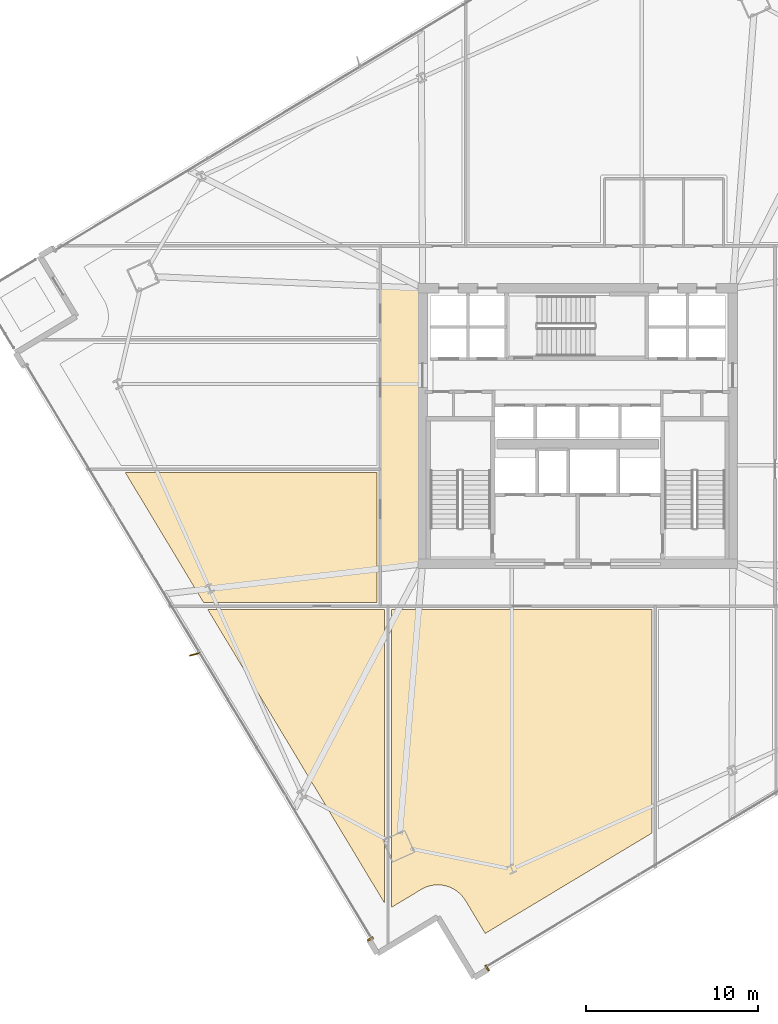
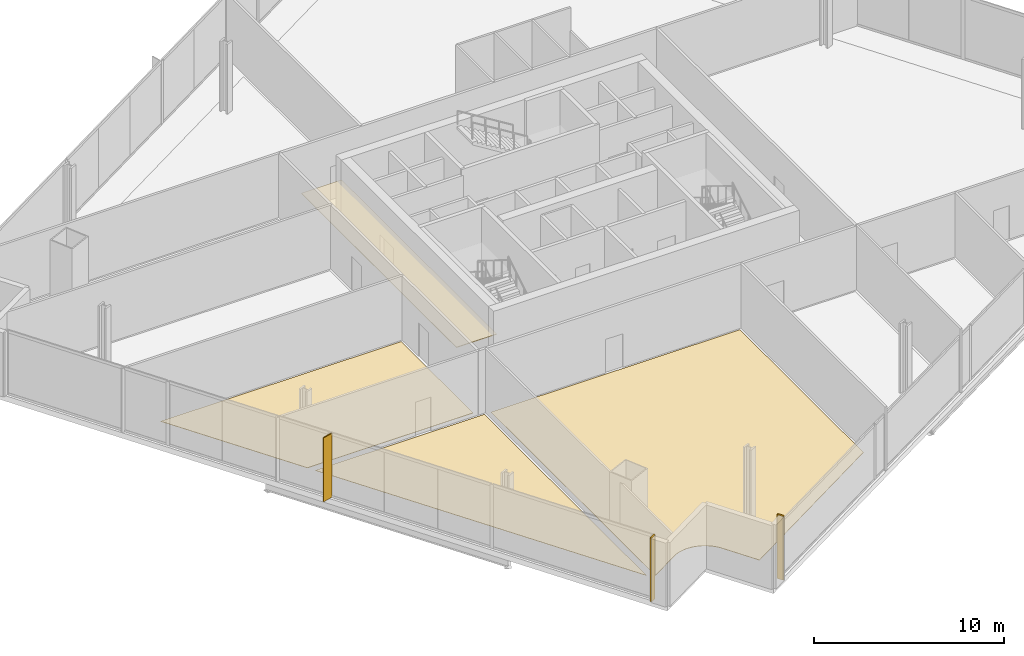
# One storey, part 26 of 30: 6 coverings, 1 shading device.
"""IFC4 building model written with IfcOpenShell, lengths in metres."""

import ifcopenshell
import ifcopenshell.guid

model = None  # the IFC model being written
_history = None  # IfcOwnerHistory: only IFC2X3 demands one
_inside = {}  # id of a spatial element -> (the spatial element, [elements in it])
_under = {}  # id of a project, library or spatial element -> (it, [spatial elements below it])
_declared = {}  # id of a project -> (the project, [libraries it declares])
_typed = {}  # id of a type object -> (the type object, [elements of that type])
_made_of = {}  # id of a material, layer set ... -> (it, [elements and type objects made of it])


def new_model(schema):
    """Start an empty IFC model of exactly this schema.

    Asked for "IFC4X3", IfcOpenShell would pick the latest addendum, in which some entities
    have other attributes; the version numbers below select the first issue.
    IFC2X3 requires an IfcOwnerHistory on every rooted entity: one is made here for all.
    """
    global model, _history
    if schema == "IFC4X3":
        model = ifcopenshell.file(schema_version=(4, 3, 0, 0))
    else:
        model = ifcopenshell.file(schema=schema)
    _inside.clear()
    _under.clear()
    _declared.clear()
    _typed.clear()
    _made_of.clear()
    _history = None
    if model.schema == "IFC2X3":
        org = make("IfcOrganization", Name="unknown")
        user = make(
            "IfcPersonAndOrganization",
            ThePerson=make("IfcPerson", FamilyName="unknown"),
            TheOrganization=org,
        )
        app = make(
            "IfcApplication",
            ApplicationDeveloper=org,
            Version="unknown",
            ApplicationFullName="unknown",
            ApplicationIdentifier="unknown",
        )
        _history = make(
            "IfcOwnerHistory",
            OwningUser=user,
            OwningApplication=app,
            ChangeAction="ADDED",
            CreationDate=0,
        )
    return model


def make(cls, **values):
    """One entity of the class cls with the attributes given. An attribute that is None is left unset."""
    return model.create_entity(
        cls, **{name: value for name, value in values.items() if value is not None}
    )


def rooted(cls, **values):
    """An entity with a GlobalId (a new one), such as an element, a storey or a relation."""
    return make(cls, GlobalId=ifcopenshell.guid.new(), OwnerHistory=_history, **values)


def si_unit(unit_type, name, prefix=None):
    """IfcSIUnit, for example si_unit("LENGTHUNIT", "METRE", prefix="MILLI")."""
    return make("IfcSIUnit", UnitType=unit_type, Prefix=prefix, Name=name)


def assignment(units):
    """IfcUnitAssignment: the units of a project."""
    return None if units is None else make("IfcUnitAssignment", Units=units)


def point(xyz):
    """IfcCartesianPoint."""
    return None if xyz is None else make("IfcCartesianPoint", Coordinates=xyz)


def direction(xyz):
    """IfcDirection."""
    return None if xyz is None else make("IfcDirection", DirectionRatios=xyz)


def frame(location, z_axis=None, x_axis=None):
    """IfcAxis2Placement3D, a coordinate frame: its origin and axes. An axis left out is left unset."""
    return make(
        "IfcAxis2Placement3D",
        Location=point(location),
        Axis=direction(z_axis),
        RefDirection=direction(x_axis),
    )


def frame_2d(location, x_axis=None):
    """IfcAxis2Placement2D, a coordinate frame in the plane: its origin and x axis."""
    return make(
        "IfcAxis2Placement2D", Location=point(location), RefDirection=direction(x_axis)
    )


def origin():
    """The frame at (0, 0, 0) with its axes left unset."""
    return frame((0.0, 0.0, 0.0))


def origin_2d():
    """The frame at (0, 0) in the plane with its x axis left unset."""
    return frame_2d((0.0, 0.0))


def place(relative_to, where):
    """IfcLocalPlacement: puts the frame where relative to a parent placement (None: the world)."""
    return make(
        "IfcLocalPlacement", PlacementRelTo=relative_to, RelativePlacement=where
    )


def context(
    kind, dimensions, precision=None, world=None, true_north=None, identifier=None
):
    """IfcGeometricRepresentationContext, for example the 3D "Model" context."""
    return make(
        "IfcGeometricRepresentationContext",
        ContextIdentifier=identifier,
        ContextType=kind,
        CoordinateSpaceDimension=dimensions,
        Precision=precision,
        WorldCoordinateSystem=world,
        TrueNorth=true_north,
    )


def subcontext(parent, identifier, kind, view, scale=None):
    """IfcGeometricRepresentationSubContext, for example "Body" below "Model"."""
    return make(
        "IfcGeometricRepresentationSubContext",
        ContextIdentifier=identifier,
        ContextType=kind,
        ParentContext=parent,
        TargetScale=scale,
        TargetView=view,
    )


def project(units=None, contexts=None):
    """IfcProject with its units and contexts."""
    return rooted(
        "IfcProject",
        Name="project",
        RepresentationContexts=contexts,
        UnitsInContext=assignment(units),
    )


def spatial(cls, under=None, at=None, **own):
    """A site, building, storey or space (cls), placed at a placement, below another one or the project."""
    s = rooted(cls, ObjectPlacement=at, **own)
    if under is not None:
        _under.setdefault(under.id(), (under, []))[1].append(s)
    return s


def polyline(points):
    """IfcPolyline through the points."""
    return make("IfcPolyline", Points=[point(p) for p in points])


def profile(cls, at=None, kind="AREA", **sizes):
    """A parametric profile (cls). Its sizes go by their IFC names, for example OverallWidth=200.0."""
    return make(cls, ProfileType=kind, Position=at, **sizes)


def rectangle(**sizes):
    """IfcRectangleProfileDef."""
    return profile("IfcRectangleProfileDef", **sizes)


def outline(outer, holes=None, kind="AREA"):
    """IfcArbitraryClosedProfileDef: a profile drawn as a closed curve; with holes, ...WithVoids."""
    if holes is None:
        return make("IfcArbitraryClosedProfileDef", ProfileType=kind, OuterCurve=outer)
    return make(
        "IfcArbitraryProfileDefWithVoids",
        ProfileType=kind,
        OuterCurve=outer,
        InnerCurves=holes,
    )


def extrude(swept, where, along, depth):
    """IfcExtrudedAreaSolid: the profile swept, set in the frame where, extruded along a direction by depth."""
    return make(
        "IfcExtrudedAreaSolid",
        SweptArea=swept,
        Position=where,
        ExtrudedDirection=direction(along),
        Depth=depth,
    )


def shape(context_of_items, identifier, shape_type, items):
    """IfcShapeRepresentation: the items that make up one representation, for example the "Body"."""
    return make(
        "IfcShapeRepresentation",
        ContextOfItems=context_of_items,
        RepresentationIdentifier=identifier,
        RepresentationType=shape_type,
        Items=items,
    )


def source(mapping_origin, context_of_items, identifier, shape_type, items):
    """IfcRepresentationMap: a shape defined once, which mapped items show again and again."""
    return make(
        "IfcRepresentationMap",
        MappingOrigin=mapping_origin,
        MappedRepresentation=shape(context_of_items, identifier, shape_type, items),
    )


def transform(
    local_origin,
    x_axis=None,
    y_axis=None,
    z_axis=None,
    scale=None,
    scale2=None,
    scale3=None,
    uniform=True,
):
    """IfcCartesianTransformationOperator3D, or its non-uniform kind. x_axis, y_axis, z_axis: its Axis1, 2, 3."""
    if uniform:
        return make(
            "IfcCartesianTransformationOperator3D",
            Axis1=direction(x_axis),
            Axis2=direction(y_axis),
            LocalOrigin=point(local_origin),
            Scale=scale,
            Axis3=direction(z_axis),
        )
    return make(
        "IfcCartesianTransformationOperator3DnonUniform",
        Axis1=direction(x_axis),
        Axis2=direction(y_axis),
        LocalOrigin=point(local_origin),
        Scale=scale,
        Axis3=direction(z_axis),
        Scale2=scale2,
        Scale3=scale3,
    )


def mapped(mapping_source, mapping_target):
    """IfcMappedItem: shows the shape of a source again, moved by a transform."""
    return make(
        "IfcMappedItem", MappingSource=mapping_source, MappingTarget=mapping_target
    )


def material(Name=None, Category=None):
    """IfcMaterial."""
    return make("IfcMaterial", Name=Name, Category=Category)


def layer(
    of_material, thickness, ventilated=None, Name=None, Category=None, Priority=None
):
    """IfcMaterialLayer: one layer of a wall or slab, of a material (None: an air gap)."""
    return make(
        "IfcMaterialLayer",
        Material=of_material,
        LayerThickness=thickness,
        IsVentilated=ventilated,
        Name=Name,
        Category=Category,
        Priority=Priority,
    )


def layer_set(layers, Name=None):
    """IfcMaterialLayerSet."""
    return make("IfcMaterialLayerSet", MaterialLayers=layers, LayerSetName=Name)


def made_of(thing, what):
    """Note that an element or type object is made of a material, layer set ...; save() writes the relation."""
    if what is not None:
        _made_of.setdefault(what.id(), (what, []))[1].append(thing)
    return thing


def type_object(cls, material=None, **own):
    """A type object (cls), such as IfcWallType, which elements share."""
    return made_of(rooted(cls, **own), material)


def element(
    cls,
    number,
    at=None,
    inside=None,
    cuts=None,
    type_object=None,
    material=None,
    context=None,
    identifier="Body",
    shape_type=None,
    held_by="IfcProductDefinitionShape",
    body=None,
    shapes=None,
    **own,
):
    """One element of the class cls, such as IfcWall. Its Tag is "e" and its number.

    at: its placement. inside: the storey or other place that contains it. cuts: it is an
    opening in that element (IfcRelVoidsElement). A single representation is given by context,
    identifier, shape_type and body (its items); several are given by shapes. held_by: the class
    of the entity that holds the representations. save() writes the other relations.
    """
    e = rooted(cls, Tag="e%d" % number, ObjectPlacement=at, **own)
    if body is not None:
        shapes = [shape(context, identifier, shape_type, body)]
    if shapes is not None:
        e.Representation = make(held_by, Representations=shapes)
    if inside is not None:
        _inside.setdefault(inside.id(), (inside, []))[1].append(e)
    if cuts is not None:
        rooted(
            "IfcRelVoidsElement", RelatingBuildingElement=cuts, RelatedOpeningElement=e
        )
    if type_object is not None:
        _typed.setdefault(type_object.id(), (type_object, []))[1].append(e)
    return made_of(e, material)


def aggregate(whole, parts):
    """IfcRelAggregates: a whole, such as a stair, and the parts it consists of."""
    return rooted("IfcRelAggregates", RelatingObject=whole, RelatedObjects=parts)


def save(model, path):
    """Write the relations noted so far, then the file.

    IfcRelAggregates (storeys below a building ...), IfcRelContainedInSpatialStructure (elements
    in a storey), IfcRelDefinesByType, IfcRelAssociatesMaterial and IfcRelDeclares: one each for
    every whole, place, type object, material and project.
    """
    for whole, parts in _under.values():
        aggregate(whole, parts)
    for where, things in _inside.values():
        rooted(
            "IfcRelContainedInSpatialStructure",
            RelatedElements=things,
            RelatingStructure=where,
        )
    for kind, things in _typed.values():
        rooted("IfcRelDefinesByType", RelatedObjects=things, RelatingType=kind)
    for what, things in _made_of.values():
        rooted("IfcRelAssociatesMaterial", RelatedObjects=things, RelatingMaterial=what)
    for by, libraries in _declared.values():
        rooted("IfcRelDeclares", RelatingContext=by, RelatedDefinitions=libraries)
    model.write(path)


model = new_model("IFC4")

# Units and contexts
model_context = context("Model", 3, precision=1e-05, world=origin(), true_north=direction((0.0, 1.0)))
body_context = subcontext(model_context, "Body", "Model", "MODEL_VIEW")
ifc_project = project(units=[si_unit("LENGTHUNIT", "METRE"), si_unit("AREAUNIT", "SQUARE_METRE"), si_unit("VOLUMEUNIT", "CUBIC_METRE"), si_unit("PLANEANGLEUNIT", "RADIAN"), si_unit("MASSUNIT", "GRAM", prefix="KILO")], contexts=[model_context])

# Site, building, storey
site_placement = place(None, origin())
site = spatial("IfcSite", under=ifc_project, at=site_placement, CompositionType="ELEMENT")
building_placement = place(site_placement, origin())
building = spatial("IfcBuilding", under=site, at=building_placement, Name="Haldenkirk Collegiate Tower", CompositionType="ELEMENT")
storey_placement = place(building_placement, frame((0.0, 0.0, 131.699951171875)))
storey = spatial("IfcBuildingStorey", under=building, at=storey_placement, Name="L32", CompositionType="ELEMENT", Elevation=131.699951171875)

# Coverings
ifc_material_1 = material(Name="Suspended mineral-fibre acoustic tile", Category="concrete")
ifc_layer_1 = layer(ifc_material_1, 0.0400390625)
ifc_layer_set_1 = layer_set([ifc_layer_1], Name="Suspended mineral-fibre acoustic tile")
covering_type_1 = type_object("IfcCoveringType", Name="COV-CEIL-ACOUSTIC", PredefinedType="CEILING", material=ifc_layer_set_1)
covering_1_placement = place(storey_placement, frame((0.0, 0.0, 2.85009765625)))
element("IfcCovering", 1, at=covering_1_placement, inside=storey, type_object=covering_type_1, Name="L32 acoustic suspended ceiling CLG-L32-COR", PredefinedType="CEILING", context=body_context, shape_type="SweptSolid", body=[
    extrude(outline(polyline([(24.550048828125, 17.85009765625), (27.0, 17.85009765625), (27.0, 34.14990234375), (24.550048828125, 34.14990234375), (24.550048828125, 17.85009765625)])), origin(), (0.0, 0.0, 1.0), 0.0400390625),
])
ifc_material_2 = material(Name="Polished collegiate terrazzo", Category="concrete")
ifc_layer_2 = layer(ifc_material_2, 0.02490234375)
ifc_layer_set_2 = layer_set([ifc_layer_2], Name="Polished collegiate terrazzo")
covering_type_2 = type_object("IfcCoveringType", Name="COV-FLOOR-TERRAZZO", PredefinedType="FLOORING", material=ifc_layer_set_2)
covering_2_placement = place(storey_placement, origin())
element("IfcCovering", 2, at=covering_2_placement, inside=storey, type_object=covering_type_2, Name="L32 academic room finish 02", PredefinedType="FLOORING", context=body_context, shape_type="SweptSolid", body=[
    extrude(outline(polyline([(28.99951171875, -0.993408203125), (28.989990234375, -0.986328125), (28.846923828125, -0.89111328125), (28.8369140625, -0.88525390625), (28.685302734375, -0.804443359375), (28.674560546875, -0.79931640625), (28.515869140625, -0.73388671875), (28.504638671875, -0.72998046875), (28.34033203125, -0.6806640625), (28.328857421875, -0.677734375), (28.160400390625, -0.64453125), (28.148681640625, -0.642822265625), (27.977783203125, -0.62646484375), (27.9658203125, -0.625732421875), (27.794189453125, -0.626220703125), (27.782470703125, -0.626708984375), (27.611572265625, -0.64404296875), (27.60009765625, -0.645751953125), (27.431640625, -0.679443359375), (27.420166015625, -0.682373046875), (27.255859375, -0.732666015625), (27.244873046875, -0.736572265625), (27.08642578125, -0.802490234375), (27.07568359375, -0.8076171875), (26.924560546875, -0.888916015625), (26.919189453125, -0.891845703125), (25.199951171875, -1.927001953125), (25.199951171875, 15.35009765625), (40.300048828125, 15.35009765625), (40.300048828125, 2.37841796875), (30.635986328125, -3.439697265625), (29.48583984375, -1.529296875), (29.482666015625, -1.5244140625), (29.386962890625, -1.381591796875), (29.3798828125, -1.372314453125), (29.270751953125, -1.23974609375), (29.2626953125, -1.231201171875), (29.14111328125, -1.10986328125), (29.13232421875, -1.10205078125), (28.99951171875, -0.993408203125)])), origin(), (0.0, 0.0, 1.0), 0.025146484375),
])
covering_3_placement = place(storey_placement, origin())
element("IfcCovering", 3, at=covering_3_placement, inside=storey, type_object=covering_type_2, Name="L32 academic room finish 08", PredefinedType="FLOORING", context=body_context, shape_type="SweptSolid", body=[
    extrude(outline(polyline([(9.751708984375, 23.300048828125), (24.35009765625, 23.300048828125), (24.35009765625, 15.75), (14.297119140625, 15.75), (9.751708984375, 23.300048828125)])), origin(), (0.0, 0.0, 1.0), 0.025146484375),
])
ifc_material_3 = material(Name="Engineered collegiate oak acoustic flooring", Category="wood")
ifc_layer_3 = layer(ifc_material_3, 0.02197265625)
ifc_layer_set_3 = layer_set([ifc_layer_3], Name="Engineered collegiate oak acoustic flooring")
covering_type_3 = type_object("IfcCoveringType", Name="COV-FLOOR-TIMBER", PredefinedType="FLOORING", material=ifc_layer_set_3)
covering_4_placement = place(storey_placement, origin())
element("IfcCovering", 4, at=covering_4_placement, inside=storey, type_object=covering_type_3, Name="L32 academic room finish 01", PredefinedType="FLOORING", context=body_context, shape_type="SweptSolid", body=[
    extrude(outline(polyline([(14.5380859375, 15.35009765625), (24.800048828125, 15.35009765625), (24.800048828125, -1.695068359375), (14.5380859375, 15.35009765625)])), origin(), (0.0, 0.0, 1.0), 0.02197265625),
])
ifc_material_4 = material(Name="Anodised architectural bronze aluminium", Category="aluminium")
ifc_layer_4 = layer(ifc_material_4, 0.06005859375)
ifc_layer_set_4 = layer_set([ifc_layer_4], Name="Anodised architectural bronze aluminium")
covering_type_4 = type_object("IfcCoveringType", Name="COV-CLAD-BRONZE-60", PredefinedType="CLADDING", material=ifc_layer_set_4)
shared_shape_1 = source(origin(), body_context, "Body", "SweptSolid", [
    extrude(rectangle(XDim=0.10009765625, YDim=0.3798828125, at=origin_2d()), origin(), (0.0, 0.0, 1.0), 4.10009765625),
])
for number, where, z_axis, x_axis, name in (
    (5, (30.748779296875, -5.44970703125, 0.0), (0.0, 0.0, 1.0), (-0.856717518865, -0.515785898285, 0.0), "L32 recessed curtain-wall bronze jamb closure SJR"),
    (6, (23.96875, -3.765380859375, 0.0), (0.0, 0.0, 1.0), (-0.515785898285, 0.856717518865, 0.0), "L32 recessed curtain-wall bronze jamb closure WJL"),
):
    element("IfcCovering", number, at=place(storey_placement, frame(where, z_axis=z_axis, x_axis=x_axis)), inside=storey, type_object=covering_type_4, Name=name, PredefinedType="CLADDING", context=body_context, shape_type="MappedRepresentation", body=[
        mapped(shared_shape_1, transform((0.0, 0.0, 0.0), x_axis=(1.0, 0.0, 0.0), y_axis=(0.0, 1.0, 0.0), z_axis=(0.0, 0.0, 1.0), scale=1.0)),
    ])

# Shading device
ifc_layer_5 = layer(ifc_material_4, 0.06494140625)
ifc_layer_set_5 = layer_set([ifc_layer_5], Name="Anodised architectural bronze aluminium")
shading_device_type = type_object("IfcShadingDeviceType", Name="SHD-FIN-BRONZE-620", PredefinedType="USERDEFINED", material=ifc_layer_set_5)
shared_shape_2 = source(origin(), body_context, "Body", "SweptSolid", [
    extrude(rectangle(XDim=0.6201171875, YDim=0.06494140625, at=origin_2d()), origin(), (0.0, 0.0, 1.0), 4.10009765625),
])
shading_device_placement = place(storey_placement, frame((13.782958984375, 12.755615234375, 0.0), z_axis=(0.0, 0.0, 1.0), x_axis=(-0.965699596295, -0.259661875744, 0.0)))
element("IfcShadingDevice", 7, at=shading_device_placement, inside=storey, type_object=shading_device_type, Name="L32 folded bronze solar fin 1", ObjectType="FIN", PredefinedType="USERDEFINED", context=body_context, shape_type="MappedRepresentation", body=[
    mapped(shared_shape_2, transform((0.0, 0.0, 0.0), x_axis=(1.0, 0.0, 0.0), y_axis=(0.0, 1.0, 0.0), z_axis=(0.0, 0.0, 1.0), scale=1.0)),
])

save(model, "model.ifc")
